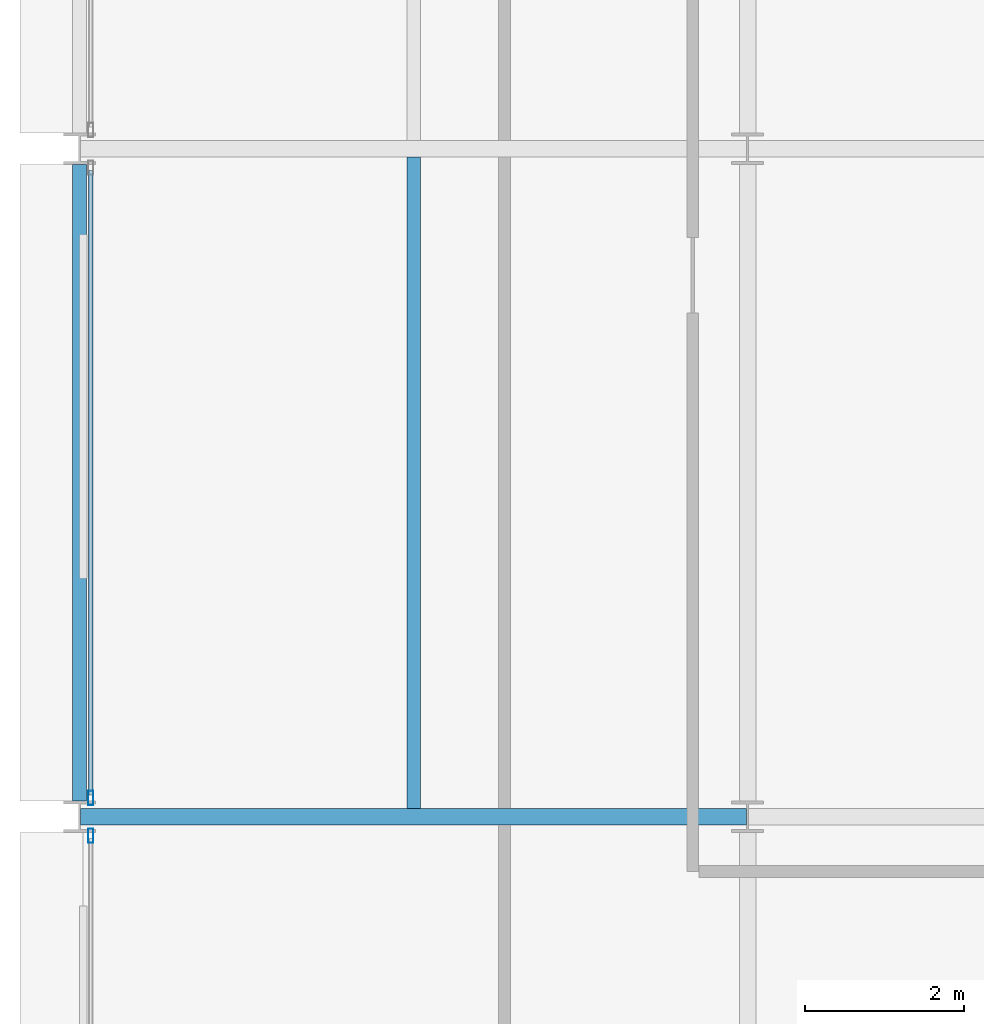
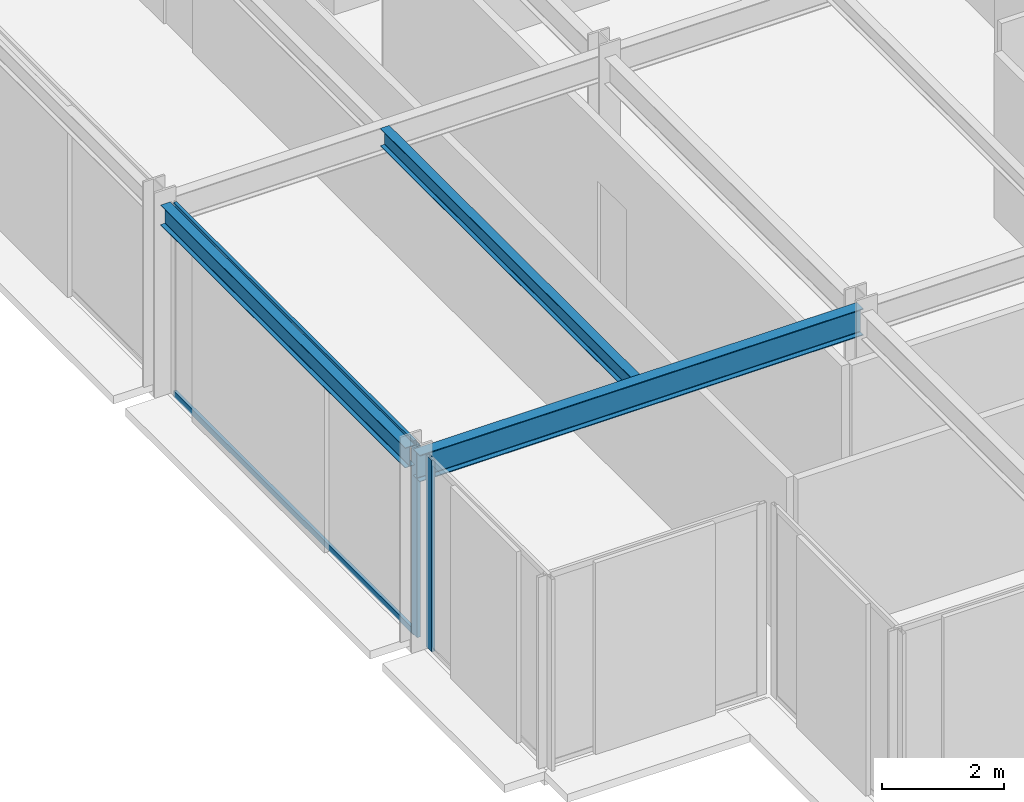
# One storey, part 6 of 39: 4 members, 3 beams, 2 elements without a shape of their own.
"""IFC4 building model written with IfcOpenShell, lengths in metres."""

from ifc_helpers import new_model, si_unit, direction, frame, origin, origin_2d, place, context, subcontext, project, spatial, hollow_rectangle, i_section, extrude, material, layer, layer_set, material_profile, profile_set, type_object, element, aggregate, save


model = new_model("IFC4")

# Units and contexts
model_context = context("Model", 3, precision=1e-05, world=origin(), true_north=direction((0.0, 1.0)))
body_context = subcontext(model_context, "Body", "Model", "MODEL_VIEW")
ifc_project = project(units=[si_unit("LENGTHUNIT", "METRE"), si_unit("AREAUNIT", "SQUARE_METRE"), si_unit("VOLUMEUNIT", "CUBIC_METRE"), si_unit("PLANEANGLEUNIT", "RADIAN"), si_unit("MASSUNIT", "GRAM", prefix="KILO")], contexts=[model_context])

# Site, building, storey
site_placement = place(None, origin())
site = spatial("IfcSite", under=ifc_project, at=site_placement, CompositionType="ELEMENT")
building_placement = place(site_placement, origin())
building = spatial("IfcBuilding", under=site, at=building_placement, Name="Nerrivon Quay Data Exchange", CompositionType="ELEMENT")
storey_placement = place(building_placement, frame((0.0, 0.0, 92.60009765625)))
storey = spatial("IfcBuildingStorey", under=building, at=storey_placement, Name="L21", CompositionType="ELEMENT", Elevation=92.60009765625)

# Beams
ifc_material_1 = material(Name="Steel Grade 350", Category="steel")
ifc_material_profile_1 = material_profile(ifc_material_1, i_section(OverallWidth=0.208984375, OverallDepth=0.532958984375, WebThickness=0.01025390625, FlangeThickness=0.015625, FilletRadius=0.013916015625, at=origin_2d()), Name="530UB92.4")
ifc_profile_set_1 = profile_set([ifc_material_profile_1], Name="Steel Grade 350")
beam_type_1 = type_object("IfcBeamType", Name="BM-G3-530UB92", PredefinedType="BEAM", material=ifc_profile_set_1)
beam_1_placement = place(storey_placement, frame((0.012451171875, 8.39990234375, 3.558349609375), z_axis=(1.0, 0.0, 0.0), x_axis=(0.0, 1.0, 0.0)))
element("IfcBeam", 1, at=beam_1_placement, inside=storey, type_object=beam_type_1, Name="L21 EW Girder Y=8.4 (0.0..8.4)", PredefinedType="BEAM", context=body_context, shape_type="SweptSolid", body=[
    extrude(i_section(OverallWidth=0.208984375, OverallDepth=0.532958984375, WebThickness=0.01025390625, FlangeThickness=0.015625, FilletRadius=0.013916015625, at=origin_2d()), origin(), (0.0, 0.0, 1.0), 8.375),
])
ifc_material_profile_2 = material_profile(ifc_material_1, i_section(OverallWidth=0.1708984375, OverallDepth=0.35595703125, WebThickness=0.00732421875, FlangeThickness=0.011474609375, FilletRadius=0.011474609375, at=origin_2d()), Name="360UB50.7")
ifc_profile_set_2 = profile_set([ifc_material_profile_2], Name="Steel Grade 350")
beam_type_2 = type_object("IfcBeamType", Name="BM-J4-360UB51", PredefinedType="JOIST", material=ifc_profile_set_2)
beam_2_placement = place(storey_placement, frame((4.199951171875, 8.50439453125, 3.64697265625), z_axis=(0.0, 1.0, 0.0), x_axis=(-1.0, 0.0, 0.0)))
element("IfcBeam", 2, at=beam_2_placement, inside=storey, type_object=beam_type_2, Name="L21 Secondary Joist X=4.2 (8.4..16.8)", PredefinedType="JOIST", context=body_context, shape_type="SweptSolid", body=[
    extrude(i_section(OverallWidth=0.1708984375, OverallDepth=0.35595703125, WebThickness=0.00732421875, FlangeThickness=0.011474609375, FilletRadius=0.011474609375, at=origin_2d()), origin(), (0.0, 0.0, 1.0), 8.191162109375),
])
ifc_material_profile_3 = material_profile(ifc_material_1, i_section(OverallWidth=0.177978515625, OverallDepth=0.403076171875, WebThickness=0.007568359375, FlangeThickness=0.010986328125, FilletRadius=0.011474609375, at=origin_2d()), Name="410UB53.7")
ifc_profile_set_3 = profile_set([ifc_material_profile_3], Name="Steel Grade 350")
beam_type_3 = type_object("IfcBeamType", Name="BM-SP2-410UB54", PredefinedType="SPANDREL", material=ifc_profile_set_3)
beam_3_placement = place(storey_placement, frame((0.0, 8.60009765625, 3.623291015625), z_axis=(0.0, 1.0, 0.0), x_axis=(-1.0, 0.0, 0.0)))
element("IfcBeam", 3, at=beam_3_placement, inside=storey, type_object=beam_type_3, Name="L21 NS Girder X=0.0 (8.4..16.8)", PredefinedType="SPANDREL", context=body_context, shape_type="SweptSolid", body=[
    extrude(i_section(OverallWidth=0.177978515625, OverallDepth=0.403076171875, WebThickness=0.007568359375, FlangeThickness=0.010986328125, FilletRadius=0.011474609375, at=origin_2d()), origin(), (0.0, 0.0, 1.0), 8.0),
])

# Curtain wall, member
ifc_material_2 = material(Name="Anodised aluminium 6063-T6", Category="aluminium")
ifc_layer = layer(ifc_material_2, 0.2099609375)
ifc_layer_set = layer_set([ifc_layer], Name="Anodised aluminium 6063-T6")
curtain_wall_type = type_object("IfcCurtainWallType", Name="CW-SYS-02", PredefinedType="NOTDEFINED", material=ifc_layer_set)
curtain_wall_1_placement = place(storey_placement, origin())
curtain_wall_1 = element("IfcCurtainWall", 4, at=curtain_wall_1_placement, inside=storey, type_object=curtain_wall_type, Name="L21 Unitised Curtain Wall 17", PredefinedType="NOTDEFINED")
ifc_material_profile_4 = material_profile(ifc_material_2, hollow_rectangle(XDim=0.06494140625, YDim=0.179931640625, WallThickness=0.00341796875, at=origin_2d()), Name="ALU-MULL-180x65")
ifc_profile_set_4 = profile_set([ifc_material_profile_4], Name="Anodised aluminium 6063-T6")
member_type_1 = type_object("IfcMemberType", Name="CWM-180x65", PredefinedType="MULLION", material=ifc_profile_set_4)
member_1_placement = place(storey_placement, frame((0.139892578125, 8.16259765625, 0.0), z_axis=(0.0, 0.0, 1.0), x_axis=(-1.0, 0.0, 0.0)))
member_1 = element("IfcMember", 5, at=member_1_placement, type_object=member_type_1, Name="CW02 mullion 2", PredefinedType="MULLION", context=body_context, shape_type="SweptSolid", body=[
    extrude(hollow_rectangle(XDim=0.06494140625, YDim=0.179931640625, WallThickness=0.00341796875, at=origin_2d()), origin(), (0.0, 0.0, 1.0), 3.824951171875),
])
aggregate(curtain_wall_1, [member_1])

# Curtain wall, members
curtain_wall_2_placement = place(storey_placement, origin())
curtain_wall_2 = element("IfcCurtainWall", 6, at=curtain_wall_2_placement, inside=storey, type_object=curtain_wall_type, Name="L21 Unitised Curtain Wall 18", PredefinedType="NOTDEFINED")
member_2_placement = place(storey_placement, frame((0.139892578125, 8.637451171875, 0.0), z_axis=(0.0, 0.0, 1.0), x_axis=(-1.0, 0.0, 0.0)))
member_2 = element("IfcMember", 7, at=member_2_placement, type_object=member_type_1, Name="CW02 mullion 1", PredefinedType="MULLION", context=body_context, shape_type="SweptSolid", body=[
    extrude(hollow_rectangle(XDim=0.06494140625, YDim=0.179931640625, WallThickness=0.00341796875, at=origin_2d()), origin(), (0.0, 0.0, 1.0), 3.824951171875),
])
ifc_material_profile_5 = material_profile(ifc_material_2, hollow_rectangle(XDim=0.06005859375, YDim=0.1201171875, WallThickness=0.003173828125, at=origin_2d()), Name="ALU-TRAN-120x60")
ifc_profile_set_5 = profile_set([ifc_material_profile_5], Name="Anodised aluminium 6063-T6")
member_type_2 = type_object("IfcMemberType", Name="CWT-120x60", PredefinedType="USERDEFINED", material=ifc_profile_set_5)
member_3_placement = place(storey_placement, frame((0.139892578125, 8.675048828125, 0.032470703125), z_axis=(0.0, 1.0, 0.0), x_axis=(-1.0, 0.0, 0.0)))
member_3 = element("IfcMember", 8, at=member_3_placement, type_object=member_type_2, Name="CW02 transom 1.1", ObjectType="TRANSOM", PredefinedType="USERDEFINED", context=body_context, shape_type="SweptSolid", body=[
    extrude(hollow_rectangle(XDim=0.06005859375, YDim=0.1201171875, WallThickness=0.003173828125, at=origin_2d()), origin(), (0.0, 0.0, 1.0), 7.849853515625),
])
member_4_placement = place(storey_placement, frame((0.139892578125, 8.675048828125, 3.79248046875), z_axis=(0.0, 1.0, 0.0), x_axis=(-1.0, 0.0, 0.0)))
member_4 = element("IfcMember", 9, at=member_4_placement, type_object=member_type_2, Name="CW02 transom 1.2", ObjectType="TRANSOM", PredefinedType="USERDEFINED", context=body_context, shape_type="SweptSolid", body=[
    extrude(hollow_rectangle(XDim=0.06005859375, YDim=0.1201171875, WallThickness=0.003173828125, at=origin_2d()), origin(), (0.0, 0.0, 1.0), 7.849853515625),
])
aggregate(curtain_wall_2, [member_2, member_3, member_4])

save(model, "model.ifc")
